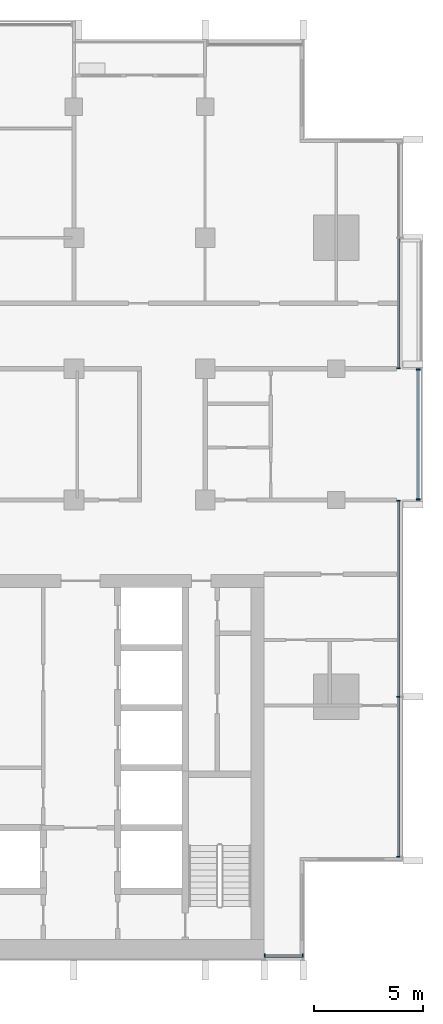
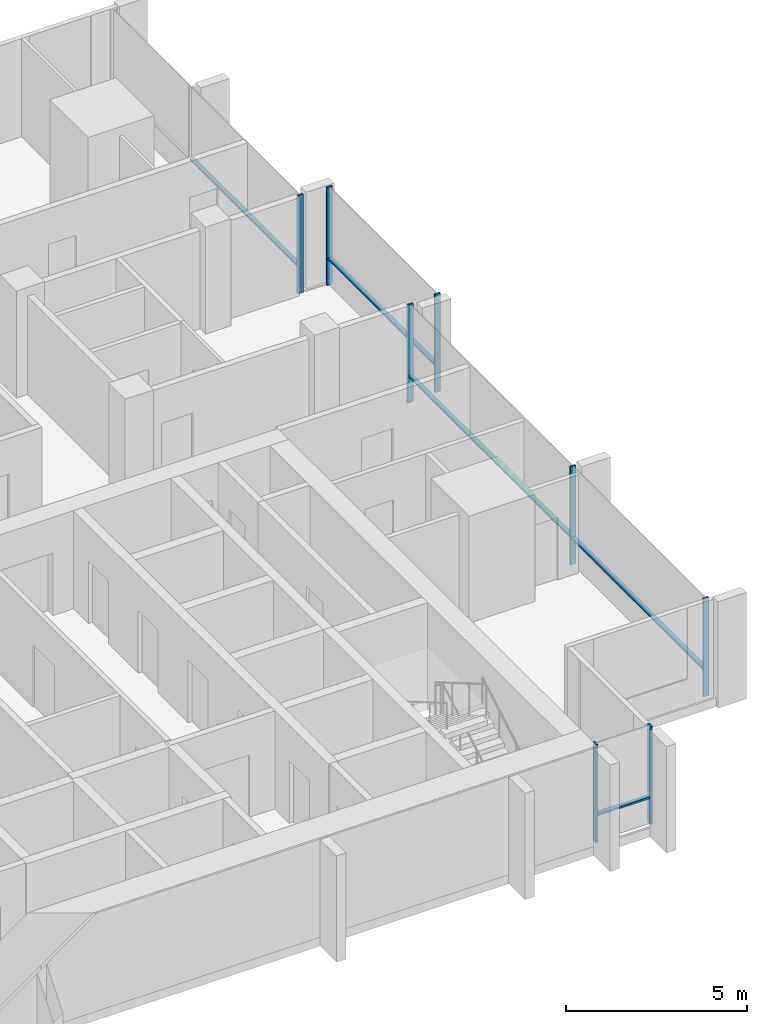
# One storey, part 3 of 16: 13 members, 4 elements without a shape of their own.
"""IFC4 building model written with IfcOpenShell, lengths in metres."""

from ifc_helpers import new_model, si_unit, direction, frame, origin, origin_2d, place, context, subcontext, project, spatial, rectangle, extrude, material, material_profile, profile_set, type_object, element, aggregate, save


model = new_model("IFC4")

# Units and contexts
model_context = context("Model", 3, precision=1e-05, world=origin(), true_north=direction((0.0, 1.0)))
body_context = subcontext(model_context, "Body", "Model", "MODEL_VIEW")
ifc_project = project(units=[si_unit("LENGTHUNIT", "METRE"), si_unit("AREAUNIT", "SQUARE_METRE"), si_unit("VOLUMEUNIT", "CUBIC_METRE"), si_unit("PLANEANGLEUNIT", "RADIAN"), si_unit("MASSUNIT", "GRAM", prefix="KILO")], contexts=[model_context])

# Site, building, storey
site_placement = place(None, origin())
site = spatial("IfcSite", under=ifc_project, at=site_placement, CompositionType="ELEMENT")
building_placement = place(site_placement, origin())
building = spatial("IfcBuilding", under=site, at=building_placement, Name="Finial Court Residences", CompositionType="ELEMENT")
storey_placement = place(building_placement, frame((0.0, 0.0, 230.300048828125)))
storey = spatial("IfcBuildingStorey", under=building, at=storey_placement, Name="L58", CompositionType="ELEMENT", Elevation=230.300048828125)

# Curtain wall, members
ifc_material = material(Name="Bronze anodised aluminium", Category="aluminium")
curtain_wall_type = type_object("IfcCurtainWallType", Name="Unitised curtain wall, upper zones", PredefinedType="NOTDEFINED", material=ifc_material)
curtain_wall_1_placement = place(storey_placement, origin())
curtain_wall_1 = element("IfcCurtainWall", 1, at=curtain_wall_1_placement, inside=storey, type_object=curtain_wall_type, Name="E-L58-CW-E4", PredefinedType="NOTDEFINED")
ifc_material_profile_1 = material_profile(ifc_material, rectangle(XDim=0.175048828125, YDim=0.06005859375, at=origin_2d()), Name="CW2 mullion 60 x 175")
ifc_profile_set_1 = profile_set([ifc_material_profile_1], Name="Bronze anodised aluminium")
member_type_1 = type_object("IfcMemberType", Name="CW2 mullion 60 x 175", PredefinedType="MULLION", material=ifc_profile_set_1)
member_1_placement = place(storey_placement, frame((19.35009765625, -20.820068359375, 0.0), z_axis=(0.0, 0.0, 1.0), x_axis=(-1.0, 0.0, 0.0)))
member_1 = element("IfcMember", 2, at=member_1_placement, type_object=member_type_1, Name="CW2 mullion 1", PredefinedType="MULLION", context=body_context, shape_type="SweptSolid", body=[
    extrude(rectangle(XDim=0.175048828125, YDim=0.06005859375, at=origin_2d()), origin(), (0.0, 0.0, 1.0), 3.300048828125),
])
member_2_placement = place(storey_placement, frame((19.35009765625, -13.5, 0.0), z_axis=(0.0, 0.0, 1.0), x_axis=(-1.0, 0.0, 0.0)))
member_2 = element("IfcMember", 3, at=member_2_placement, type_object=member_type_1, Name="CW2 mullion 2", PredefinedType="MULLION", context=body_context, shape_type="SweptSolid", body=[
    extrude(rectangle(XDim=0.175048828125, YDim=0.06005859375, at=origin_2d()), origin(), (0.0, 0.0, 1.0), 3.300048828125),
])
member_3_placement = place(storey_placement, frame((19.35009765625, -4.530029296875, 0.0), z_axis=(0.0, 0.0, 1.0), x_axis=(-1.0, 0.0, 0.0)))
member_3 = element("IfcMember", 4, at=member_3_placement, type_object=member_type_1, Name="CW2 mullion 3", PredefinedType="MULLION", context=body_context, shape_type="SweptSolid", body=[
    extrude(rectangle(XDim=0.175048828125, YDim=0.06005859375, at=origin_2d()), origin(), (0.0, 0.0, 1.0), 3.300048828125),
])

curtain_wall_2_placement = place(storey_placement, origin())
curtain_wall_2 = element("IfcCurtainWall", 5, at=curtain_wall_2_placement, inside=storey, type_object=curtain_wall_type, Name="E-L58-CW-E5", PredefinedType="NOTDEFINED")
member_4_placement = place(storey_placement, frame((20.25, -4.469970703125, 0.0), z_axis=(0.0, 0.0, 1.0), x_axis=(-1.0, 0.0, 0.0)))
member_4 = element("IfcMember", 6, at=member_4_placement, type_object=member_type_1, Name="CW2 mullion 1", PredefinedType="MULLION", context=body_context, shape_type="SweptSolid", body=[
    extrude(rectangle(XDim=0.175048828125, YDim=0.06005859375, at=origin_2d()), origin(), (0.0, 0.0, 1.0), 3.300048828125),
])
member_5_placement = place(storey_placement, frame((20.25, 1.469970703125, 0.0), z_axis=(0.0, 0.0, 1.0), x_axis=(-1.0, 0.0, 0.0)))
member_5 = element("IfcMember", 7, at=member_5_placement, type_object=member_type_1, Name="CW2 mullion 2", PredefinedType="MULLION", context=body_context, shape_type="SweptSolid", body=[
    extrude(rectangle(XDim=0.175048828125, YDim=0.06005859375, at=origin_2d()), origin(), (0.0, 0.0, 1.0), 3.300048828125),
])

# Curtain wall, member
curtain_wall_3_placement = place(storey_placement, origin())
curtain_wall_3 = element("IfcCurtainWall", 8, at=curtain_wall_3_placement, inside=storey, type_object=curtain_wall_type, Name="E-L58-CW-E6", PredefinedType="NOTDEFINED")
member_6_placement = place(storey_placement, frame((19.35009765625, 1.530029296875, 0.0), z_axis=(0.0, 0.0, 1.0), x_axis=(-1.0, 0.0, 0.0)))
member_6 = element("IfcMember", 9, at=member_6_placement, type_object=member_type_1, Name="CW2 mullion 1", PredefinedType="MULLION", context=body_context, shape_type="SweptSolid", body=[
    extrude(rectangle(XDim=0.175048828125, YDim=0.06005859375, at=origin_2d()), origin(), (0.0, 0.0, 1.0), 3.300048828125),
])

# Curtain wall, members
curtain_wall_4_placement = place(storey_placement, origin())
curtain_wall_4 = element("IfcCurtainWall", 10, at=curtain_wall_4_placement, inside=storey, type_object=curtain_wall_type, Name="E-L58-CW-S8", PredefinedType="NOTDEFINED")
member_7_placement = place(storey_placement, frame((13.22998046875, -25.35009765625, 0.0), z_axis=(0.0, 0.0, 1.0), x_axis=(0.0, 1.0, 0.0)))
member_7 = element("IfcMember", 11, at=member_7_placement, type_object=member_type_1, Name="CW2 mullion 1", PredefinedType="MULLION", context=body_context, shape_type="SweptSolid", body=[
    extrude(rectangle(XDim=0.175048828125, YDim=0.06005859375, at=origin_2d()), origin(), (0.0, 0.0, 1.0), 3.300048828125),
])
member_8_placement = place(storey_placement, frame((14.969970703125, -25.35009765625, 0.0), z_axis=(0.0, 0.0, 1.0), x_axis=(0.0, 1.0, 0.0)))
member_8 = element("IfcMember", 12, at=member_8_placement, type_object=member_type_1, Name="CW2 mullion 2", PredefinedType="MULLION", context=body_context, shape_type="SweptSolid", body=[
    extrude(rectangle(XDim=0.175048828125, YDim=0.06005859375, at=origin_2d()), origin(), (0.0, 0.0, 1.0), 3.300048828125),
])

# Member
ifc_material_profile_2 = material_profile(ifc_material, rectangle(XDim=0.139892578125, YDim=0.06005859375, at=origin_2d()), Name="CW2 transom 60 x 140")
ifc_profile_set_2 = profile_set([ifc_material_profile_2], Name="Bronze anodised aluminium")
member_type_2 = type_object("IfcMemberType", Name="CW2 transom 60 x 140", PredefinedType="USERDEFINED", material=ifc_profile_set_2)
member_9_placement = place(storey_placement, frame((19.35009765625, -20.7900390625, 0.89990234375), z_axis=(0.0, 1.0, 0.0), x_axis=(-1.0, 0.0, 0.0)))
member_9 = element("IfcMember", 13, at=member_9_placement, type_object=member_type_2, Name="CW2 transom 1.1", ObjectType="TRANSOM", PredefinedType="USERDEFINED", context=body_context, shape_type="SweptSolid", body=[
    extrude(rectangle(XDim=0.139892578125, YDim=0.06005859375, at=origin_2d()), origin(), (0.0, 0.0, 1.0), 7.260009765625),
])

member_10_placement = place(storey_placement, frame((19.35009765625, -13.469970703125, 0.89990234375), z_axis=(0.0, 1.0, 0.0), x_axis=(-1.0, 0.0, 0.0)))
member_10 = element("IfcMember", 14, at=member_10_placement, type_object=member_type_2, Name="CW2 transom 2.1", ObjectType="TRANSOM", PredefinedType="USERDEFINED", context=body_context, shape_type="SweptSolid", body=[
    extrude(rectangle(XDim=0.139892578125, YDim=0.06005859375, at=origin_2d()), origin(), (0.0, 0.0, 1.0), 8.909912109375),
])

aggregate(curtain_wall_1, [member_1, member_2, member_3, member_9, member_10])

member_11_placement = place(storey_placement, frame((20.25, -4.43994140625, 0.89990234375), z_axis=(0.0, 1.0, 0.0), x_axis=(-1.0, 0.0, 0.0)))
member_11 = element("IfcMember", 15, at=member_11_placement, type_object=member_type_2, Name="CW2 transom 1.1", ObjectType="TRANSOM", PredefinedType="USERDEFINED", context=body_context, shape_type="SweptSolid", body=[
    extrude(rectangle(XDim=0.139892578125, YDim=0.06005859375, at=origin_2d()), origin(), (0.0, 0.0, 1.0), 5.8798828125),
])

aggregate(curtain_wall_2, [member_4, member_5, member_11])

member_12_placement = place(storey_placement, frame((19.35009765625, 1.56005859375, 0.89990234375), z_axis=(0.0, 1.0, 0.0), x_axis=(-1.0, 0.0, 0.0)))
member_12 = element("IfcMember", 16, at=member_12_placement, type_object=member_type_2, Name="CW2 transom 1.1", ObjectType="TRANSOM", PredefinedType="USERDEFINED", context=body_context, shape_type="SweptSolid", body=[
    extrude(rectangle(XDim=0.139892578125, YDim=0.06005859375, at=origin_2d()), origin(), (0.0, 0.0, 1.0), 5.909912109375),
])

aggregate(curtain_wall_3, [member_6, member_12])

member_13_placement = place(storey_placement, frame((13.260009765625, -25.35009765625, 0.89990234375), z_axis=(1.0, 0.0, 0.0), x_axis=(0.0, 1.0, 0.0)))
member_13 = element("IfcMember", 17, at=member_13_placement, type_object=member_type_2, Name="CW2 transom 1.1", ObjectType="TRANSOM", PredefinedType="USERDEFINED", context=body_context, shape_type="SweptSolid", body=[
    extrude(rectangle(XDim=0.139892578125, YDim=0.06005859375, at=origin_2d()), origin(), (0.0, 0.0, 1.0), 1.679931640625),
])

aggregate(curtain_wall_4, [member_7, member_8, member_13])

save(model, "model.ifc")
